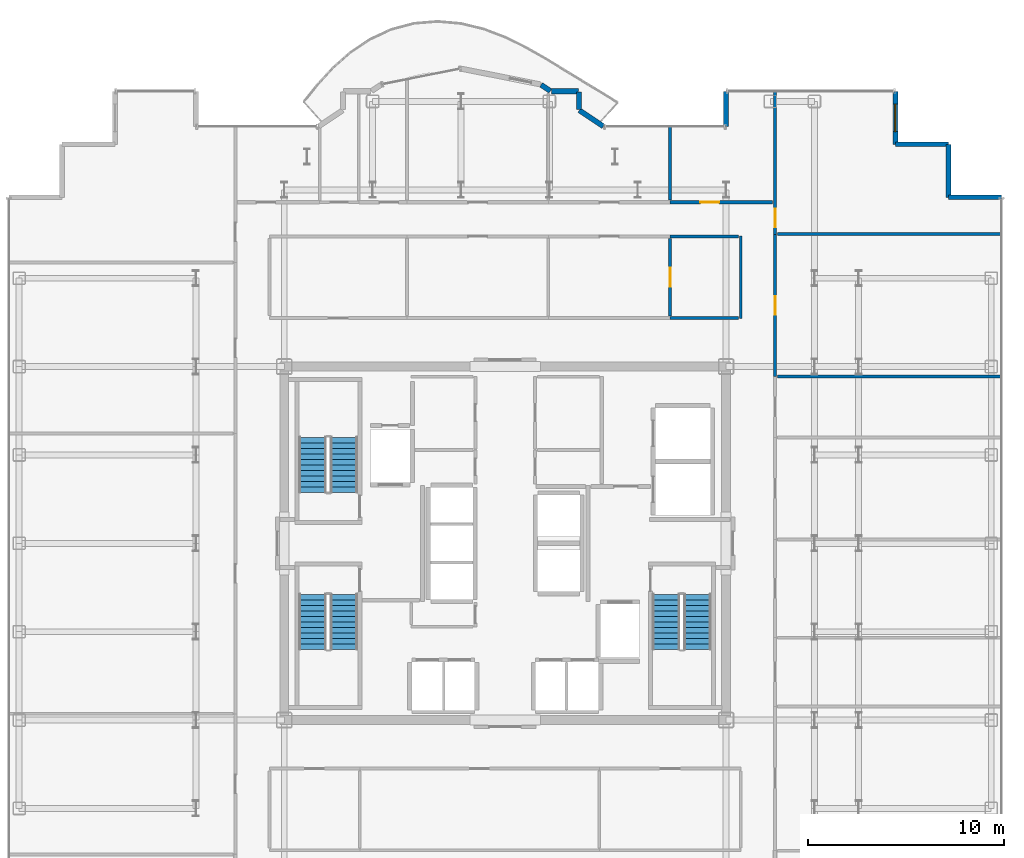
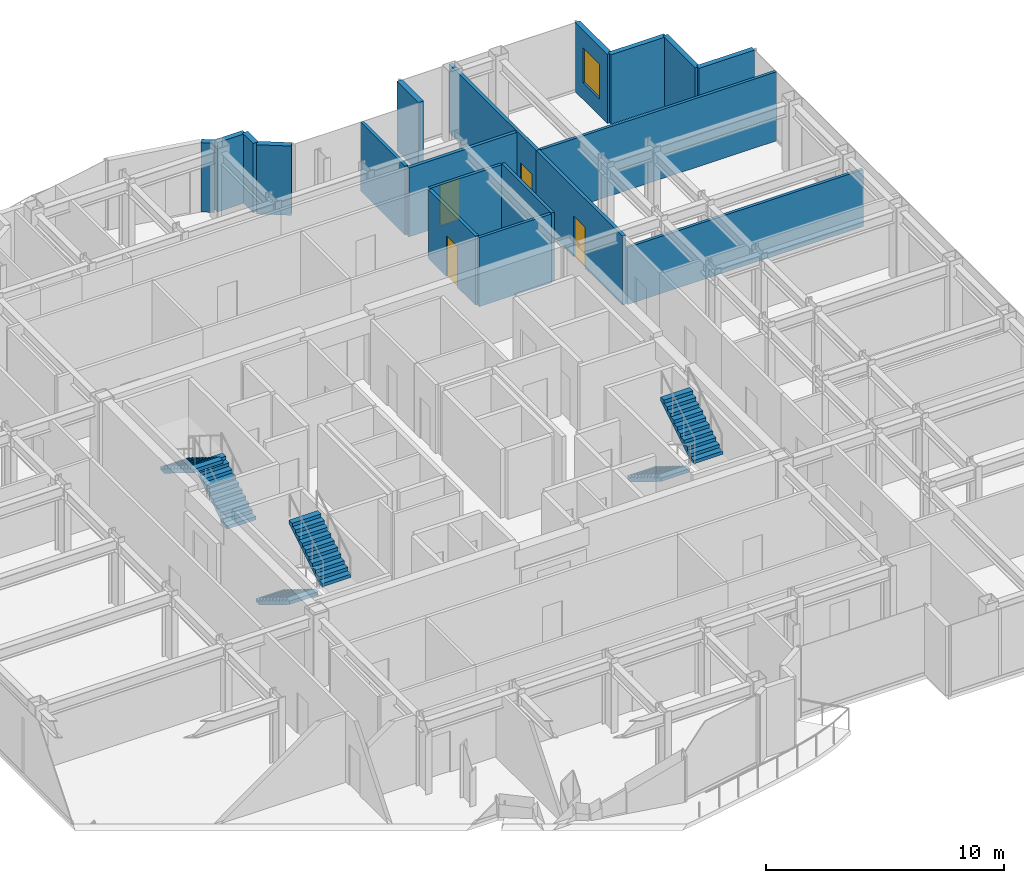
# One storey, part 19 of 21: 19 walls, 6 stair flights, 4 doors, 1 window, 5 openings, 3 elements without a shape of their own.
"""IFC4 building model written with IfcOpenShell, lengths in metres."""

from ifc_helpers import new_model, si_unit, direction, frame, frame_2d, origin, place, context, subcontext, project, spatial, polyline, rectangle, outline, extrude, source, transform, mapped, material, layer, layer_set, type_object, element, fill, aggregate, save


model = new_model("IFC4")

# Units and contexts
model_context = context("Model", 3, precision=1e-05, world=origin(), true_north=direction((0.0, 1.0)))
body_context = subcontext(model_context, "Body", "Model", "MODEL_VIEW")
ifc_project = project(units=[si_unit("LENGTHUNIT", "METRE"), si_unit("AREAUNIT", "SQUARE_METRE"), si_unit("VOLUMEUNIT", "CUBIC_METRE"), si_unit("PLANEANGLEUNIT", "RADIAN"), si_unit("MASSUNIT", "GRAM", prefix="KILO")], contexts=[model_context])

# Site, building, storey
site_placement = place(None, origin())
site = spatial("IfcSite", under=ifc_project, at=site_placement, CompositionType="ELEMENT")
building_placement = place(site_placement, origin())
building = spatial("IfcBuilding", under=site, at=building_placement, Name="Nefas-Gora Pilgrimage Tower", CompositionType="ELEMENT")
storey_placement = place(building_placement, frame((0.0, 0.0, 248.39990234375)))
storey = spatial("IfcBuildingStorey", under=building, at=storey_placement, Name="L62", CompositionType="ELEMENT", Elevation=248.39990234375)

# Walls
ifc_material_1 = material(Name="Precast concrete C40/50", Category="concrete")
ifc_layer_1 = layer(ifc_material_1, 0.260009765625)
ifc_layer_set_1 = layer_set([ifc_layer_1], Name="Precast concrete C40/50")
wall_type_1 = type_object("IfcWallType", Name="EW-PORTAL-260", PredefinedType="SOLIDWALL", material=ifc_layer_set_1)
shared_shape_1 = source(origin(), body_context, "Body", "SweptSolid", [
    extrude(rectangle(XDim=1.800048828125, YDim=0.260009765625, at=frame_2d((0.89990234375, 0.0))), origin(), (0.0, 0.0, 1.0), 3.550048828125),
])
wall_1_placement = place(storey_placement, frame((11.25, 23.02001953125, 0.0), z_axis=(0.0, 0.0, 1.0), x_axis=(0.0, -1.0, 0.0)))
element("IfcWall", 1, at=wall_1_placement, inside=storey, type_object=wall_type_1, Name="L62 Lobe Shoulder Precast Spandrel Pier 10", PredefinedType="SOLIDWALL", context=body_context, shape_type="MappedRepresentation", body=[
    mapped(shared_shape_1, transform((0.0, 0.0, 0.0), x_axis=(1.0, 0.0, 0.0), y_axis=(0.0, 1.0, 0.0), z_axis=(0.0, 0.0, 1.0), scale=1.0)),
])
ifc_material_2 = material(Name="Precast concrete C45/55", Category="concrete")
ifc_layer_2 = layer(ifc_material_2, 0.239990234375)
ifc_layer_set_2 = layer_set([ifc_layer_2], Name="Precast concrete C45/55")
wall_type_2 = type_object("IfcWallType", Name="EW-SERR-240", PredefinedType="SHEAR", material=ifc_layer_set_2)
shared_shape_2 = source(origin(), body_context, "Body", "SweptSolid", [
    extrude(rectangle(XDim=2.699951171875, YDim=0.239990234375, at=frame_2d((1.35009765625, 0.0))), origin(), (0.0, 0.0, 1.0), 3.550048828125),
])
for number, where, z_axis, x_axis, name in (
    (2, (25.27001953125, 17.6201171875, 0.0), (0.0, 0.0, 1.0), (-1.0, 0.0, 0.0), "L62 Serrated Corner Shear Pier Wall 6"),
    (3, (22.570068359375, 17.6201171875, 0.0), (0.0, 0.0, 1.0), (0.0, 1.0, 0.0), "L62 Serrated Corner Shear Pier Wall 7"),
    (4, (22.570068359375, 20.320068359375, 0.0), (0.0, 0.0, 1.0), (-1.0, 0.0, 0.0), "L62 Serrated Corner Shear Pier Wall 8"),
):
    element("IfcWall", number, at=place(storey_placement, frame(where, z_axis=z_axis, x_axis=x_axis)), inside=storey, type_object=wall_type_2, Name=name, PredefinedType="SHEAR", context=body_context, shape_type="MappedRepresentation", body=[
        mapped(shared_shape_2, transform((0.0, 0.0, 0.0), x_axis=(1.0, 0.0, 0.0), y_axis=(0.0, 1.0, 0.0), z_axis=(0.0, 0.0, 1.0), scale=1.0)),
    ])

# Wall, opening, window
wall_2_placement = place(storey_placement, frame((19.8701171875, 20.320068359375, 0.0), z_axis=(0.0, 0.0, 1.0), x_axis=(0.0, 1.0, 0.0)))
wall_2 = element("IfcWall", 5, at=wall_2_placement, inside=storey, type_object=wall_type_2, Name="L62 Serrated Corner Shear Pier Wall 9", PredefinedType="SHEAR", context=body_context, shape_type="MappedRepresentation", body=[
    mapped(shared_shape_2, transform((0.0, 0.0, 0.0), x_axis=(1.0, 0.0, 0.0), y_axis=(0.0, 1.0, 0.0), z_axis=(0.0, 0.0, 1.0), scale=1.0)),
])
opening_1_placement = place(wall_2_placement, frame((0.64990234375, 0.0, 0.85009765625)))
opening_1 = element("IfcOpeningElement", 6, at=opening_1_placement, cuts=wall_2, Name="Opening W-V2", PredefinedType="OPENING", context=body_context, shape_type="SweptSolid", body=[
    extrude(rectangle(XDim=1.39990234375, YDim=1.800048828125, at=frame_2d((0.699951171875, 0.89990234375))), frame((0.0, 0.1298828125, 0.0), z_axis=(0.0, -1.0, 0.0), x_axis=(1.0, 0.0, 0.0)), (0.0, 0.0, 1.0), 0.260009765625),
])
ifc_material_3 = material(Name="Dark ceramic-fritted operable aluminium-glass window", Category="aluminium")
window_type = type_object("IfcWindowType", Name="WIN-VENT-1400x1800", PartitioningType="SINGLE_PANEL", PredefinedType="WINDOW", material=ifc_material_3)
shared_shape_3 = source(origin(), body_context, "Body", "SweptSolid", [
    extrude(rectangle(XDim=1.39990234375, YDim=1.800048828125, at=frame_2d((0.699951171875, 0.89990234375))), frame((0.0, 0.030029296875, 0.0), z_axis=(0.0, -1.0, 0.0), x_axis=(1.0, 0.0, 0.0)), (0.0, 0.0, 1.0), 0.06005859375),
])
window_placement = place(opening_1_placement, origin())
window = element("IfcWindow", 7, at=window_placement, inside=storey, type_object=window_type, Name="L62 Operable Parallel-Outswing Window 9", OverallHeight=1.800048828125, OverallWidth=1.39990234375, PartitioningType="SINGLE_PANEL", PredefinedType="WINDOW", context=body_context, shape_type="MappedRepresentation", body=[
    mapped(shared_shape_3, transform((0.0, 0.0, 0.0), x_axis=(1.0, 0.0, 0.0), y_axis=(0.0, 1.0, 0.0), z_axis=(0.0, 0.0, 1.0), scale=1.0)),
])
fill(opening_1, window)

# Walls
shared_shape_4 = source(origin(), body_context, "Body", "SweptSolid", [
    extrude(rectangle(XDim=1.468994140625, YDim=0.260009765625, at=frame_2d((0.734375, 0.0))), origin(), (0.0, 0.0, 1.0), 3.550048828125),
])
wall_3_placement = place(storey_placement, frame((4.99462890625, 21.235595703125, 0.0), z_axis=(0.0, 0.0, 1.0), x_axis=(-0.831461760506, 0.555581983884, 0.0)))
element("IfcWall", 8, at=wall_3_placement, inside=storey, type_object=wall_type_1, Name="L62 Lobe Shoulder Precast Spandrel Pier 11", PredefinedType="SOLIDWALL", context=body_context, shape_type="MappedRepresentation", body=[
    mapped(shared_shape_4, transform((0.0, 0.0, 0.0), x_axis=(1.0, 0.0, 0.0), y_axis=(0.0, 1.0, 0.0), z_axis=(0.0, 0.0, 1.0), scale=1.0)),
])
shared_shape_5 = source(origin(), body_context, "Body", "SweptSolid", [
    extrude(rectangle(XDim=0.896728515625, YDim=0.260009765625, at=frame_2d((0.4482421875, 0.0))), origin(), (0.0, 0.0, 1.0), 3.550048828125),
])
wall_4_placement = place(storey_placement, frame((3.75, 22.09521484375, 0.0), z_axis=(0.0, 0.0, 1.0), x_axis=(0.0, 1.0, 0.0)))
element("IfcWall", 9, at=wall_4_placement, inside=storey, type_object=wall_type_1, Name="L62 Lobe Shoulder Precast Spandrel Pier 12", PredefinedType="SOLIDWALL", context=body_context, shape_type="MappedRepresentation", body=[
    mapped(shared_shape_5, transform((0.0, 0.0, 0.0), x_axis=(1.0, 0.0, 0.0), y_axis=(0.0, 1.0, 0.0), z_axis=(0.0, 0.0, 1.0), scale=1.0)),
])
shared_shape_6 = source(origin(), body_context, "Body", "SweptSolid", [
    extrude(rectangle(XDim=1.369873046875, YDim=0.260009765625, at=frame_2d((0.68505859375, 0.0))), origin(), (0.0, 0.0, 1.0), 3.550048828125),
])
wall_5_placement = place(storey_placement, frame((3.721923828125, 23.02001953125, 0.0), z_axis=(0.0, 0.0, 1.0), x_axis=(-1.0, 0.0, 0.0)))
element("IfcWall", 10, at=wall_5_placement, inside=storey, type_object=wall_type_1, Name="L62 Lobe Shoulder Precast Spandrel Pier 13", PredefinedType="SOLIDWALL", context=body_context, shape_type="MappedRepresentation", body=[
    mapped(shared_shape_6, transform((0.0, 0.0, 0.0), x_axis=(1.0, 0.0, 0.0), y_axis=(0.0, 1.0, 0.0), z_axis=(0.0, 0.0, 1.0), scale=1.0)),
])
shared_shape_7 = source(origin(), body_context, "Body", "SweptSolid", [
    extrude(rectangle(XDim=0.5654296875, YDim=0.260009765625, at=frame_2d((0.28271484375, 0.0))), origin(), (0.0, 0.0, 1.0), 3.550048828125),
])
wall_6_placement = place(storey_placement, frame((2.30078125, 23.03564453125, 0.0), z_axis=(0.0, 0.0, 1.0), x_axis=(-0.831651492666, 0.555297933317, 0.0)))
element("IfcWall", 11, at=wall_6_placement, inside=storey, type_object=wall_type_1, Name="L62 Lobe Shoulder Precast Spandrel Pier 14", PredefinedType="SOLIDWALL", context=body_context, shape_type="MappedRepresentation", body=[
    mapped(shared_shape_7, transform((0.0, 0.0, 0.0), x_axis=(1.0, 0.0, 0.0), y_axis=(0.0, 1.0, 0.0), z_axis=(0.0, 0.0, 1.0), scale=1.0)),
])

# Wall, opening, door
ifc_material_4 = material(Name="Gypsum acoustic stud partition")
ifc_layer_3 = layer(ifc_material_4, 0.159912109375)
ifc_layer_set_3 = layer_set([ifc_layer_3], Name="Gypsum acoustic stud partition")
wall_type_3 = type_object("IfcWallType", Name="IW-CORR-160", PredefinedType="PARTITIONING", material=ifc_layer_set_3)
shared_shape_8 = source(origin(), body_context, "Body", "SweptSolid", [
    extrude(rectangle(XDim=5.22509765625, YDim=0.159912109375, at=frame_2d((2.612548828125, 0.0))), origin(), (0.0, 0.0, 1.0), 3.53515625),
])
wall_7_placement = place(storey_placement, frame((8.39501953125, 17.3701171875, 0.0), z_axis=(0.0, 0.0, 1.0), x_axis=(1.0, 0.0, 0.0)))
wall_7 = element("IfcWall", 12, at=wall_7_placement, inside=storey, type_object=wall_type_3, Name="L62 Pilgrim Contemplative Lounge Partition Wall 73", PredefinedType="PARTITIONING", context=body_context, shape_type="MappedRepresentation", body=[
    mapped(shared_shape_8, transform((0.0, 0.0, 0.0), x_axis=(1.0, 0.0, 0.0), y_axis=(0.0, 1.0, 0.0), z_axis=(0.0, 0.0, 1.0), scale=1.0)),
])
opening_2_placement = place(wall_7_placement, frame((1.543212890625, 0.0, 0.0)))
opening_2 = element("IfcOpeningElement", 13, at=opening_2_placement, cuts=wall_7, Name="Opening ID-GR1", PredefinedType="OPENING", context=body_context, shape_type="SweptSolid", body=[
    extrude(rectangle(XDim=0.949951171875, YDim=2.10009765625, at=frame_2d((0.47509765625, 1.050048828125))), frame((0.0, 0.08984375, 0.0), z_axis=(0.0, -1.0, 0.0), x_axis=(1.0, 0.0, 0.0)), (0.0, 0.0, 1.0), 0.179931640625),
])
ifc_material_5 = material(Name="Solid core oak fire-rated guest entrance door")
door_type = type_object("IfcDoorType", Name="DR-INT-GUEST-950", OperationType="NOTDEFINED", PredefinedType="DOOR", material=ifc_material_5)
shared_shape_9 = source(origin(), body_context, "Body", "SweptSolid", [
    extrude(rectangle(XDim=0.949951171875, YDim=2.10009765625, at=frame_2d((0.47509765625, 1.050048828125))), frame((0.0, 0.02490234375, 0.0), z_axis=(0.0, -1.0, 0.0), x_axis=(1.0, 0.0, 0.0)), (0.0, 0.0, 1.0), 0.050048828125),
])
door_1_placement = place(opening_2_placement, origin())
door_1 = element("IfcDoor", 14, at=door_1_placement, inside=storey, type_object=door_type, Name="L62 Pilgrim Contemplative Lounge Door 34", OperationType="SINGLE_SWING_RIGHT", OverallHeight=2.10009765625, OverallWidth=0.949951171875, PredefinedType="DOOR", context=body_context, shape_type="MappedRepresentation", body=[
    mapped(shared_shape_9, transform((0.0, 0.0, 0.0), x_axis=(1.0, 0.0, 0.0), y_axis=(0.0, 1.0, 0.0), z_axis=(0.0, 0.0, 1.0), scale=1.0)),
])
fill(opening_2, door_1)

# Wall
ifc_material_6 = material(Name="Gypsum twin-stud partition")
ifc_layer_4 = layer(ifc_material_6, 0.139892578125)
ifc_layer_set_4 = layer_set([ifc_layer_4], Name="Gypsum twin-stud partition")
wall_type_4 = type_object("IfcWallType", Name="IW-UNIT-140", PredefinedType="PARTITIONING", material=ifc_layer_set_4)
shared_shape_10 = source(origin(), body_context, "Body", "SweptSolid", [
    extrude(rectangle(XDim=11.429931640625, YDim=0.139892578125, at=frame_2d((5.71484375, 0.0))), origin(), (0.0, 0.0, 1.0), 3.53515625),
])
wall_8_placement = place(storey_placement, frame((13.860107421875, 15.74755859375, 0.0), z_axis=(0.0, 0.0, 1.0), x_axis=(1.0, 0.0, 0.0)))
element("IfcWall", 15, at=wall_8_placement, inside=storey, type_object=wall_type_4, Name="L62 Pilgrim Contemplative Lounge Partition Wall 54", PredefinedType="PARTITIONING", context=body_context, shape_type="MappedRepresentation", body=[
    mapped(shared_shape_10, transform((0.0, 0.0, 0.0), x_axis=(1.0, 0.0, 0.0), y_axis=(0.0, 1.0, 0.0), z_axis=(0.0, 0.0, 1.0), scale=1.0)),
])

# Wall, opening, door
shared_shape_11 = source(origin(), body_context, "Body", "SweptSolid", [
    extrude(rectangle(XDim=7.302490234375, YDim=0.159912109375, at=frame_2d((3.6513671875, 0.0))), origin(), (0.0, 0.0, 1.0), 3.53515625),
])
wall_9_placement = place(storey_placement, frame((13.739990234375, 15.737548828125, 0.0), z_axis=(0.0, 0.0, 1.0), x_axis=(0.0, 1.0, 0.0)))
wall_9 = element("IfcWall", 16, at=wall_9_placement, inside=storey, type_object=wall_type_3, Name="L62 Pilgrim Contemplative Lounge Partition Wall 53", PredefinedType="PARTITIONING", context=body_context, shape_type="MappedRepresentation", body=[
    mapped(shared_shape_11, transform((0.0, 0.0, 0.0), x_axis=(1.0, 0.0, 0.0), y_axis=(0.0, 1.0, 0.0), z_axis=(0.0, 0.0, 1.0), scale=1.0)),
])
opening_3_placement = place(wall_9_placement, frame((0.361328125, 0.0, 0.0)))
opening_3 = element("IfcOpeningElement", 17, at=opening_3_placement, cuts=wall_9, Name="Opening ID-GR1", PredefinedType="OPENING", context=body_context, shape_type="SweptSolid", body=[
    extrude(rectangle(XDim=0.949951171875, YDim=2.10009765625, at=frame_2d((0.47509765625, 1.050048828125))), frame((0.0, 0.08984375, 0.0), z_axis=(0.0, -1.0, 0.0), x_axis=(1.0, 0.0, 0.0)), (0.0, 0.0, 1.0), 0.179931640625),
])
door_2_placement = place(opening_3_placement, origin())
door_2 = element("IfcDoor", 18, at=door_2_placement, inside=storey, type_object=door_type, Name="L62 Pilgrim Contemplative Lounge Door 24", OperationType="SINGLE_SWING_RIGHT", OverallHeight=2.10009765625, OverallWidth=0.949951171875, PredefinedType="DOOR", context=body_context, shape_type="MappedRepresentation", body=[
    mapped(shared_shape_9, transform((0.0, 0.0, 0.0), x_axis=(1.0, 0.0, 0.0), y_axis=(0.0, 1.0, 0.0), z_axis=(0.0, 0.0, 1.0), scale=1.0)),
])
fill(opening_3, door_2)

shared_shape_12 = source(origin(), body_context, "Body", "SweptSolid", [
    extrude(rectangle(XDim=7.242431640625, YDim=0.159912109375, at=frame_2d((3.62109375, 0.0))), origin(), (0.0, 0.0, 1.0), 3.53515625),
])
wall_10_placement = place(storey_placement, frame((13.739990234375, 8.4951171875, 0.0), z_axis=(0.0, 0.0, 1.0), x_axis=(0.0, 1.0, 0.0)))
wall_10 = element("IfcWall", 19, at=wall_10_placement, inside=storey, type_object=wall_type_3, Name="L62 Pilgrim Contemplative Lounge Partition Wall 55", PredefinedType="PARTITIONING", context=body_context, shape_type="MappedRepresentation", body=[
    mapped(shared_shape_12, transform((0.0, 0.0, 0.0), x_axis=(1.0, 0.0, 0.0), y_axis=(0.0, 1.0, 0.0), z_axis=(0.0, 0.0, 1.0), scale=1.0)),
])
opening_4_placement = place(wall_10_placement, frame((3.146240234375, 0.0, 0.0)))
opening_4 = element("IfcOpeningElement", 20, at=opening_4_placement, cuts=wall_10, Name="Opening ID-GR1", PredefinedType="OPENING", context=body_context, shape_type="SweptSolid", body=[
    extrude(rectangle(XDim=0.949951171875, YDim=2.10009765625, at=frame_2d((0.47509765625, 1.050048828125))), frame((0.0, 0.08984375, 0.0), z_axis=(0.0, -1.0, 0.0), x_axis=(1.0, 0.0, 0.0)), (0.0, 0.0, 1.0), 0.179931640625),
])
door_3_placement = place(opening_4_placement, origin())
door_3 = element("IfcDoor", 21, at=door_3_placement, inside=storey, type_object=door_type, Name="L62 Pilgrim Contemplative Lounge Door 25", OperationType="SINGLE_SWING_LEFT", OverallHeight=2.10009765625, OverallWidth=0.949951171875, PredefinedType="DOOR", context=body_context, shape_type="MappedRepresentation", body=[
    mapped(shared_shape_9, transform((0.0, 0.0, 0.0), x_axis=(1.0, 0.0, 0.0), y_axis=(0.0, 1.0, 0.0), z_axis=(0.0, 0.0, 1.0), scale=1.0)),
])
fill(opening_4, door_3)

# Wall
shared_shape_13 = source(origin(), body_context, "Body", "SweptSolid", [
    extrude(rectangle(XDim=3.75, YDim=0.139892578125, at=frame_2d((1.875, 0.0))), origin(), (0.0, 0.0, 1.0), 3.53515625),
])
wall_11_placement = place(storey_placement, frame((8.39501953125, 17.489990234375, 0.0), z_axis=(0.0, 0.0, 1.0), x_axis=(0.0, 1.0, 0.0)))
element("IfcWall", 22, at=wall_11_placement, inside=storey, type_object=wall_type_4, Name="L62 Pilgrim Contemplative Lounge Partition Wall 69", PredefinedType="PARTITIONING", context=body_context, shape_type="MappedRepresentation", body=[
    mapped(shared_shape_13, transform((0.0, 0.0, 0.0), x_axis=(1.0, 0.0, 0.0), y_axis=(0.0, 1.0, 0.0), z_axis=(0.0, 0.0, 1.0), scale=1.0)),
])

# Wall, opening, door
shared_shape_14 = source(origin(), body_context, "Body", "SweptSolid", [
    extrude(rectangle(XDim=3.929931640625, YDim=0.159912109375, at=frame_2d((1.96484375, 0.0))), origin(), (0.0, 0.0, 1.0), 3.53515625),
])
wall_12_placement = place(storey_placement, frame((8.39501953125, 11.580078125, 0.0), z_axis=(0.0, 0.0, 1.0), x_axis=(0.0, 1.0, 0.0)))
wall_12 = element("IfcWall", 23, at=wall_12_placement, inside=storey, type_object=wall_type_3, Name="L62 Pilgrim Contemplative Lounge Partition Wall 72", PredefinedType="PARTITIONING", context=body_context, shape_type="MappedRepresentation", body=[
    mapped(shared_shape_14, transform((0.0, 0.0, 0.0), x_axis=(1.0, 0.0, 0.0), y_axis=(0.0, 1.0, 0.0), z_axis=(0.0, 0.0, 1.0), scale=1.0)),
])
opening_5_placement = place(wall_12_placement, frame((1.489990234375, 0.0, 0.0)))
opening_5 = element("IfcOpeningElement", 24, at=opening_5_placement, cuts=wall_12, Name="Opening ID-GR1", PredefinedType="OPENING", context=body_context, shape_type="SweptSolid", body=[
    extrude(rectangle(XDim=0.949951171875, YDim=2.10009765625, at=frame_2d((0.47509765625, 1.050048828125))), frame((0.0, 0.08984375, 0.0), z_axis=(0.0, -1.0, 0.0), x_axis=(1.0, 0.0, 0.0)), (0.0, 0.0, 1.0), 0.179931640625),
])
door_4_placement = place(opening_5_placement, origin())
door_4 = element("IfcDoor", 25, at=door_4_placement, inside=storey, type_object=door_type, Name="L62 Pilgrim Contemplative Lounge Door 33", OperationType="SINGLE_SWING_LEFT", OverallHeight=2.10009765625, OverallWidth=0.949951171875, PredefinedType="DOOR", context=body_context, shape_type="MappedRepresentation", body=[
    mapped(shared_shape_9, transform((0.0, 0.0, 0.0), x_axis=(1.0, 0.0, 0.0), y_axis=(0.0, 1.0, 0.0), z_axis=(0.0, 0.0, 1.0), scale=1.0)),
])
fill(opening_5, door_4)

# Walls
shared_shape_15 = source(origin(), body_context, "Body", "SweptSolid", [
    extrude(rectangle(XDim=4.179931640625, YDim=0.139892578125, at=frame_2d((2.08984375, 0.0))), origin(), (0.0, 0.0, 1.0), 3.53515625),
])
wall_13_placement = place(storey_placement, frame((12.0, 11.4599609375, 0.0), z_axis=(0.0, 0.0, 1.0), x_axis=(0.0, 1.0, 0.0)))
element("IfcWall", 26, at=wall_13_placement, inside=storey, type_object=wall_type_4, Name="L62 Pilgrim Contemplative Lounge Partition Wall 74", PredefinedType="PARTITIONING", context=body_context, shape_type="MappedRepresentation", body=[
    mapped(shared_shape_15, transform((0.0, 0.0, 0.0), x_axis=(1.0, 0.0, 0.0), y_axis=(0.0, 1.0, 0.0), z_axis=(0.0, 0.0, 1.0), scale=1.0)),
])
shared_shape_16 = source(origin(), body_context, "Body", "SweptSolid", [
    extrude(rectangle(XDim=3.494873046875, YDim=0.139892578125, at=frame_2d((1.74755859375, 0.0))), origin(), (0.0, 0.0, 1.0), 3.53515625),
])
for number, where, z_axis, x_axis, name in (
    (27, (8.39501953125, 15.6298828125, 0.0), (0.0, 0.0, 1.0), (1.0, 0.0, 0.0), "L62 Pilgrim Contemplative Lounge Partition Wall 75"),
    (28, (8.39501953125, 11.469970703125, 0.0), (0.0, 0.0, 1.0), (1.0, 0.0, 0.0), "L62 Pilgrim Contemplative Lounge Partition Wall 76"),
):
    element("IfcWall", number, at=place(storey_placement, frame(where, z_axis=z_axis, x_axis=x_axis)), inside=storey, type_object=wall_type_4, Name=name, PredefinedType="PARTITIONING", context=body_context, shape_type="MappedRepresentation", body=[
        mapped(shared_shape_16, transform((0.0, 0.0, 0.0), x_axis=(1.0, 0.0, 0.0), y_axis=(0.0, 1.0, 0.0), z_axis=(0.0, 0.0, 1.0), scale=1.0)),
    ])
shared_shape_17 = source(origin(), body_context, "Body", "SweptSolid", [
    extrude(rectangle(XDim=11.429931640625, YDim=0.139892578125, at=frame_2d((5.71484375, 0.0))), origin(), (0.0, 0.0, 1.0), 2.925048828125),
])
wall_14_placement = place(storey_placement, frame((13.860107421875, 8.4951171875, 0.0), z_axis=(0.0, 0.0, 1.0), x_axis=(1.0, 0.0, 0.0)))
element("IfcWall", 29, at=wall_14_placement, inside=storey, type_object=wall_type_4, Name="L62 Scripture Reading Study Partition Wall 52", PredefinedType="PARTITIONING", context=body_context, shape_type="MappedRepresentation", body=[
    mapped(shared_shape_17, transform((0.0, 0.0, 0.0), x_axis=(1.0, 0.0, 0.0), y_axis=(0.0, 1.0, 0.0), z_axis=(0.0, 0.0, 1.0), scale=1.0)),
])

# Stair, stair flights
ifc_material_7 = material(Name="Concrete C45/55", Category="concrete")
stair_type = type_object("IfcStairType", Name="STR-1400-R1727", PredefinedType="HALF_TURN_STAIR", material=ifc_material_7)
stair_1_placement = place(storey_placement, origin())
stair_1 = element("IfcStair", 30, at=stair_1_placement, inside=storey, type_object=stair_type, Name="L62 Pressurised Tower Exit Stair ST-01", PredefinedType="HALF_TURN_STAIR")
stair_flight_type = type_object("IfcStairFlightType", Name="STF-1400-R1727", PredefinedType="STRAIGHT", material=ifc_material_7)
shared_shape_18 = source(origin(), body_context, "Body", "SweptSolid", [
    extrude(outline(polyline([(0.0, 0.0), (0.0, 0.172607421875), (0.280029296875, 0.172607421875), (0.280029296875, 0.345458984375), (0.56005859375, 0.345458984375), (0.56005859375, 0.51806640625), (0.840087890625, 0.51806640625), (0.840087890625, 0.69091796875), (1.1201171875, 0.69091796875), (1.1201171875, 0.863525390625), (1.39990234375, 0.863525390625), (1.39990234375, 1.036376953125), (1.679931640625, 1.036376953125), (1.679931640625, 1.208984375), (1.9599609375, 1.208984375), (1.9599609375, 1.3818359375), (2.239990234375, 1.3818359375), (2.239990234375, 1.554443359375), (2.52001953125, 1.554443359375), (2.52001953125, 1.727294921875), (2.800048828125, 1.727294921875), (2.800048828125, 1.89990234375), (2.800048828125, 1.551025390625), (0.285400390625, 0.0), (0.0, 0.0)])), frame((0.0, 0.699951171875, 0.0), z_axis=(0.0, -1.0, 0.0), x_axis=(1.0, 0.0, 0.0)), (0.0, 0.0, 1.0), 1.39990234375),
])
stair_flight_1_placement = place(storey_placement, frame((-8.199951171875, 2.60009765625, 0.0), z_axis=(0.0, 0.0, 1.0), x_axis=(0.0, 1.0, 0.0)))
stair_flight_1 = element("IfcStairFlight", 31, at=stair_flight_1_placement, type_object=stair_flight_type, Name="ST-01 flight 1", NumberOfRisers=11, NumberOfTreads=10, PredefinedType="STRAIGHT", RiserHeight=0.172727273, TreadLength=0.28, context=body_context, shape_type="MappedRepresentation", body=[
    mapped(shared_shape_18, transform((0.0, 0.0, 0.0), x_axis=(1.0, 0.0, 0.0), y_axis=(0.0, 1.0, 0.0), z_axis=(0.0, 0.0, 1.0), scale=1.0)),
])
stair_flight_2_placement = place(storey_placement, frame((-9.800048828125, 5.39990234375, 1.900146484375), z_axis=(0.0, 0.0, 1.0), x_axis=(0.0, -1.0, 0.0)))
stair_flight_2 = element("IfcStairFlight", 32, at=stair_flight_2_placement, type_object=stair_flight_type, Name="ST-01 flight 2", NumberOfRisers=11, NumberOfTreads=10, PredefinedType="STRAIGHT", RiserHeight=0.172727273, TreadLength=0.28, context=body_context, shape_type="MappedRepresentation", body=[
    mapped(shared_shape_18, transform((0.0, 0.0, 0.0), x_axis=(1.0, 0.0, 0.0), y_axis=(0.0, 1.0, 0.0), z_axis=(0.0, 0.0, 1.0), scale=1.0)),
])
aggregate(stair_1, [stair_flight_1, stair_flight_2])

stair_2_placement = place(storey_placement, origin())
stair_2 = element("IfcStair", 33, at=stair_2_placement, inside=storey, type_object=stair_type, Name="L62 Pressurised Tower Exit Stair ST-02", PredefinedType="HALF_TURN_STAIR")
stair_flight_3_placement = place(storey_placement, frame((8.199951171875, -2.60009765625, 0.0), z_axis=(0.0, 0.0, 1.0), x_axis=(0.0, -1.0, 0.0)))
stair_flight_3 = element("IfcStairFlight", 34, at=stair_flight_3_placement, type_object=stair_flight_type, Name="ST-02 flight 1", NumberOfRisers=11, NumberOfTreads=10, PredefinedType="STRAIGHT", RiserHeight=0.172727273, TreadLength=0.28, context=body_context, shape_type="MappedRepresentation", body=[
    mapped(shared_shape_18, transform((0.0, 0.0, 0.0), x_axis=(1.0, 0.0, 0.0), y_axis=(0.0, 1.0, 0.0), z_axis=(0.0, 0.0, 1.0), scale=1.0)),
])
stair_flight_4_placement = place(storey_placement, frame((9.800048828125, -5.39990234375, 1.900146484375), z_axis=(0.0, 0.0, 1.0), x_axis=(0.0, 1.0, 0.0)))
stair_flight_4 = element("IfcStairFlight", 35, at=stair_flight_4_placement, type_object=stair_flight_type, Name="ST-02 flight 2", NumberOfRisers=11, NumberOfTreads=10, PredefinedType="STRAIGHT", RiserHeight=0.172727273, TreadLength=0.28, context=body_context, shape_type="MappedRepresentation", body=[
    mapped(shared_shape_18, transform((0.0, 0.0, 0.0), x_axis=(1.0, 0.0, 0.0), y_axis=(0.0, 1.0, 0.0), z_axis=(0.0, 0.0, 1.0), scale=1.0)),
])
aggregate(stair_2, [stair_flight_3, stair_flight_4])

stair_3_placement = place(storey_placement, origin())
stair_3 = element("IfcStair", 36, at=stair_3_placement, inside=storey, type_object=stair_type, Name="L62 Pressurised Tower Exit Stair ST-03", PredefinedType="HALF_TURN_STAIR")
stair_flight_5_placement = place(storey_placement, frame((-9.800048828125, -2.60009765625, 0.0), z_axis=(0.0, 0.0, 1.0), x_axis=(0.0, -1.0, 0.0)))
stair_flight_5 = element("IfcStairFlight", 37, at=stair_flight_5_placement, type_object=stair_flight_type, Name="ST-03 flight 1", NumberOfRisers=11, NumberOfTreads=10, PredefinedType="STRAIGHT", RiserHeight=0.172727273, TreadLength=0.28, context=body_context, shape_type="MappedRepresentation", body=[
    mapped(shared_shape_18, transform((0.0, 0.0, 0.0), x_axis=(1.0, 0.0, 0.0), y_axis=(0.0, 1.0, 0.0), z_axis=(0.0, 0.0, 1.0), scale=1.0)),
])
stair_flight_6_placement = place(storey_placement, frame((-8.199951171875, -5.39990234375, 1.900146484375), z_axis=(0.0, 0.0, 1.0), x_axis=(0.0, 1.0, 0.0)))
stair_flight_6 = element("IfcStairFlight", 38, at=stair_flight_6_placement, type_object=stair_flight_type, Name="ST-03 flight 2", NumberOfRisers=11, NumberOfTreads=10, PredefinedType="STRAIGHT", RiserHeight=0.172727273, TreadLength=0.28, context=body_context, shape_type="MappedRepresentation", body=[
    mapped(shared_shape_18, transform((0.0, 0.0, 0.0), x_axis=(1.0, 0.0, 0.0), y_axis=(0.0, 1.0, 0.0), z_axis=(0.0, 0.0, 1.0), scale=1.0)),
])
aggregate(stair_3, [stair_flight_5, stair_flight_6])

save(model, "model.ifc")
